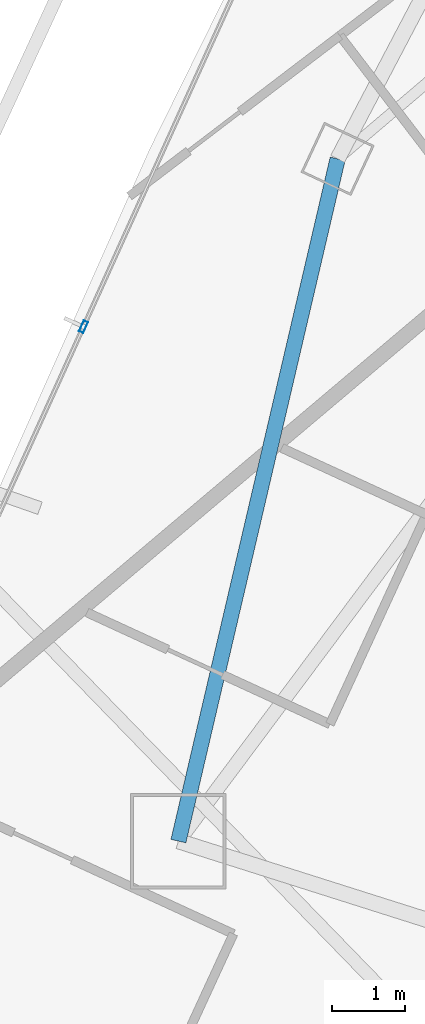
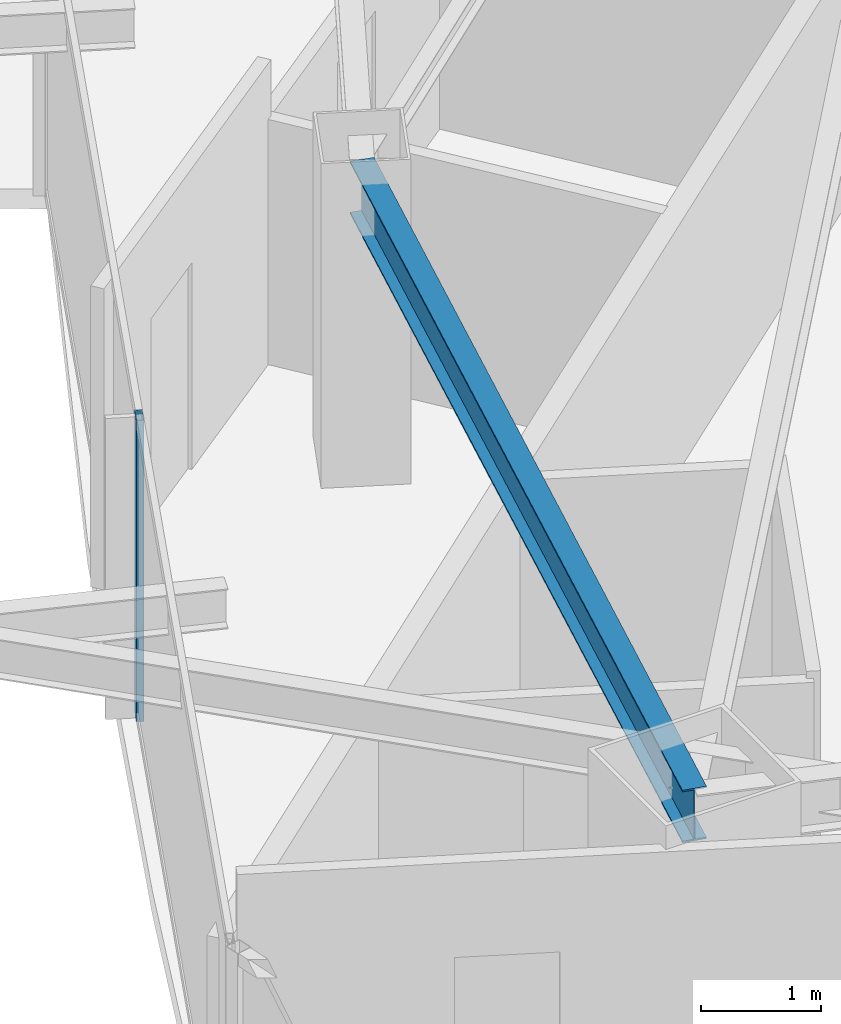
# One storey, part 6 of 33: 1 beam, 1 member, 1 element without a shape of its own.
"""IFC4 building model written with IfcOpenShell, lengths in metres."""

from ifc_helpers import new_model, si_unit, direction, frame, origin, origin_2d, place, context, subcontext, project, spatial, hollow_rectangle, i_section, extrude, material, layer, layer_set, material_profile, profile_set, type_object, element, aggregate, save


model = new_model("IFC4")

# Units and contexts
model_context = context("Model", 3, precision=1e-05, world=origin(), true_north=direction((0.0, 1.0)))
body_context = subcontext(model_context, "Body", "Model", "MODEL_VIEW")
ifc_project = project(units=[si_unit("LENGTHUNIT", "METRE"), si_unit("AREAUNIT", "SQUARE_METRE"), si_unit("VOLUMEUNIT", "CUBIC_METRE"), si_unit("PLANEANGLEUNIT", "RADIAN"), si_unit("MASSUNIT", "GRAM", prefix="KILO")], contexts=[model_context])

# Site, building, storey
site_placement = place(None, origin())
site = spatial("IfcSite", under=ifc_project, at=site_placement, CompositionType="ELEMENT")
building_placement = place(site_placement, origin())
building = spatial("IfcBuilding", under=site, at=building_placement, Name="Orvanel Arch Residences", CompositionType="ELEMENT")
storey_placement = place(building_placement, frame((0.0, 0.0, 212.89990234375)))
storey = spatial("IfcBuildingStorey", under=building, at=storey_placement, Name="L60", CompositionType="ELEMENT", Elevation=212.89990234375)

# Curtain wall, member
ifc_material_1 = material(Name="Bronze-anodised aluminium AA6063-T6", Category="aluminium")
ifc_layer = layer(ifc_material_1, 0.175048828125)
ifc_layer_set = layer_set([ifc_layer], Name="Bronze-anodised aluminium AA6063-T6")
curtain_wall_type = type_object("IfcCurtainWallType", Name="CW4-HI-SYS", PredefinedType="NOTDEFINED", material=ifc_layer_set)
curtain_wall_placement = place(storey_placement, origin())
curtain_wall = element("IfcCurtainWall", 1, at=curtain_wall_placement, inside=storey, type_object=curtain_wall_type, Name="L60 CW4-HI-SYS Unitised Curtain Wall", PredefinedType="NOTDEFINED")
ifc_material_profile_1 = material_profile(ifc_material_1, hollow_rectangle(XDim=0.06494140625, YDim=0.159912109375, WallThickness=0.00390625, at=origin_2d()), Name="ALU160x65x4")
ifc_profile_set_1 = profile_set([ifc_material_profile_1], Name="Bronze-anodised aluminium AA6063-T6")
member_type = type_object("IfcMemberType", Name="MUL-160x65", PredefinedType="MULLION", material=ifc_profile_set_1)
member_placement = place(storey_placement, frame((12.906005859375, 17.35595703125, 0.0), z_axis=(0.0, 0.0, 1.0), x_axis=(0.911395859217, -0.411530785971, 0.0)))
member = element("IfcMember", 2, at=member_placement, type_object=member_type, Name="CW-S4 mullion 2", PredefinedType="MULLION", context=body_context, shape_type="SweptSolid", body=[
    extrude(hollow_rectangle(XDim=0.06494140625, YDim=0.159912109375, WallThickness=0.00390625, at=origin_2d()), origin(), (0.0, 0.0, 1.0), 3.06005859375),
])
aggregate(curtain_wall, [member])

# Beam
ifc_material_2 = material(Name="Structural steel AS/NZS 3679.1 Grade 300 (300 MPa)", Category="steel")
ifc_material_profile_2 = material_profile(ifc_material_2, i_section(OverallWidth=0.208984375, OverallDepth=0.532958984375, WebThickness=0.01025390625, FlangeThickness=0.015625, at=origin_2d()), Name="530UB92.4")
ifc_profile_set_2 = profile_set([ifc_material_profile_2], Name="Structural steel AS/NZS 3679.1 Grade 300 (300 MPa)")
beam_type = type_object("IfcBeamType", Name="SP-530UB", PredefinedType="SPANDREL", material=ifc_profile_set_2)
beam_placement = place(storey_placement, frame((16.366943359375, 19.64208984375, 2.794189453125), z_axis=(-0.227236087167, -0.973839699688, 0.0), x_axis=(0.973839699688, -0.227236087167, 0.0)))
element("IfcBeam", 3, at=beam_placement, inside=storey, type_object=beam_type, Name="L60 Perimeter Spandrel Beam 01", PredefinedType="SPANDREL", context=body_context, shape_type="SweptSolid", body=[
    extrude(i_section(OverallWidth=0.208984375, OverallDepth=0.532958984375, WebThickness=0.01025390625, FlangeThickness=0.015625, at=origin_2d()), origin(), (0.0, 0.0, 1.0), 9.54052734375),
])

save(model, "model.ifc")
